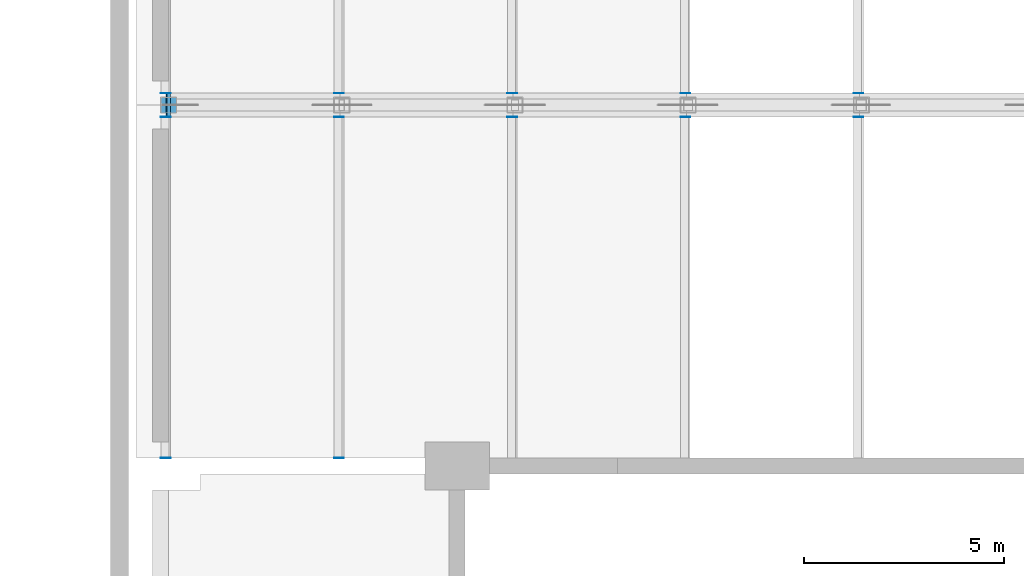
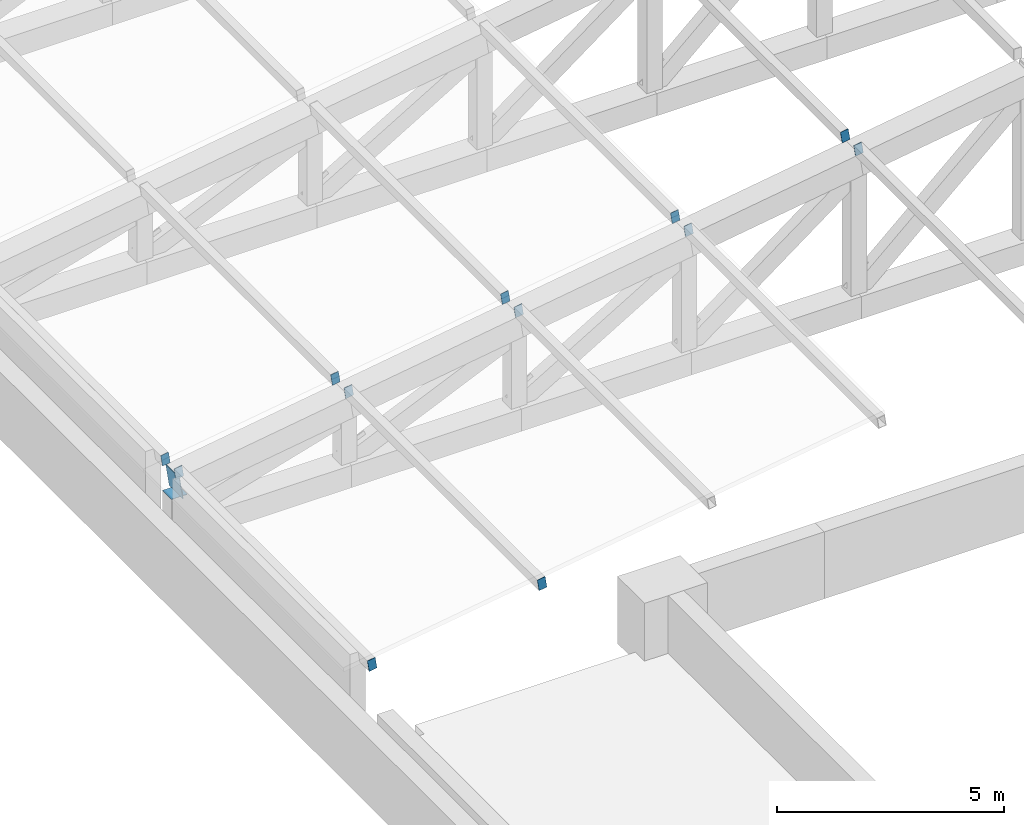
# One storey, part 20 of 32: 14 discrete accessories.
"""IFC4 building model written with IfcOpenShell, lengths in metres."""

import ifcopenshell
import ifcopenshell.guid

model = None  # the IFC model being written
_history = None  # IfcOwnerHistory: only IFC2X3 demands one
_inside = {}  # id of a spatial element -> (the spatial element, [elements in it])
_under = {}  # id of a project, library or spatial element -> (it, [spatial elements below it])
_declared = {}  # id of a project -> (the project, [libraries it declares])
_typed = {}  # id of a type object -> (the type object, [elements of that type])
_made_of = {}  # id of a material, layer set ... -> (it, [elements and type objects made of it])


def new_model(schema):
    """Start an empty IFC model of exactly this schema.

    Asked for "IFC4X3", IfcOpenShell would pick the latest addendum, in which some entities
    have other attributes; the version numbers below select the first issue.
    IFC2X3 requires an IfcOwnerHistory on every rooted entity: one is made here for all.
    """
    global model, _history
    if schema == "IFC4X3":
        model = ifcopenshell.file(schema_version=(4, 3, 0, 0))
    else:
        model = ifcopenshell.file(schema=schema)
    _inside.clear()
    _under.clear()
    _declared.clear()
    _typed.clear()
    _made_of.clear()
    _history = None
    if model.schema == "IFC2X3":
        org = make("IfcOrganization", Name="unknown")
        user = make(
            "IfcPersonAndOrganization",
            ThePerson=make("IfcPerson", FamilyName="unknown"),
            TheOrganization=org,
        )
        app = make(
            "IfcApplication",
            ApplicationDeveloper=org,
            Version="unknown",
            ApplicationFullName="unknown",
            ApplicationIdentifier="unknown",
        )
        _history = make(
            "IfcOwnerHistory",
            OwningUser=user,
            OwningApplication=app,
            ChangeAction="ADDED",
            CreationDate=0,
        )
    return model


def make(cls, **values):
    """One entity of the class cls with the attributes given. An attribute that is None is left unset."""
    return model.create_entity(
        cls, **{name: value for name, value in values.items() if value is not None}
    )


def rooted(cls, **values):
    """An entity with a GlobalId (a new one), such as an element, a storey or a relation."""
    return make(cls, GlobalId=ifcopenshell.guid.new(), OwnerHistory=_history, **values)


def si_unit(unit_type, name, prefix=None):
    """IfcSIUnit, for example si_unit("LENGTHUNIT", "METRE", prefix="MILLI")."""
    return make("IfcSIUnit", UnitType=unit_type, Prefix=prefix, Name=name)


def assignment(units):
    """IfcUnitAssignment: the units of a project."""
    return None if units is None else make("IfcUnitAssignment", Units=units)


def point(xyz):
    """IfcCartesianPoint."""
    return None if xyz is None else make("IfcCartesianPoint", Coordinates=xyz)


def direction(xyz):
    """IfcDirection."""
    return None if xyz is None else make("IfcDirection", DirectionRatios=xyz)


def frame(location, z_axis=None, x_axis=None):
    """IfcAxis2Placement3D, a coordinate frame: its origin and axes. An axis left out is left unset."""
    return make(
        "IfcAxis2Placement3D",
        Location=point(location),
        Axis=direction(z_axis),
        RefDirection=direction(x_axis),
    )


def origin():
    """The frame at (0, 0, 0) with its axes left unset."""
    return frame((0.0, 0.0, 0.0))


def place(relative_to, where):
    """IfcLocalPlacement: puts the frame where relative to a parent placement (None: the world)."""
    return make(
        "IfcLocalPlacement", PlacementRelTo=relative_to, RelativePlacement=where
    )


def context(
    kind, dimensions, precision=None, world=None, true_north=None, identifier=None
):
    """IfcGeometricRepresentationContext, for example the 3D "Model" context."""
    return make(
        "IfcGeometricRepresentationContext",
        ContextIdentifier=identifier,
        ContextType=kind,
        CoordinateSpaceDimension=dimensions,
        Precision=precision,
        WorldCoordinateSystem=world,
        TrueNorth=true_north,
    )


def subcontext(parent, identifier, kind, view, scale=None):
    """IfcGeometricRepresentationSubContext, for example "Body" below "Model"."""
    return make(
        "IfcGeometricRepresentationSubContext",
        ContextIdentifier=identifier,
        ContextType=kind,
        ParentContext=parent,
        TargetScale=scale,
        TargetView=view,
    )


def project(units=None, contexts=None):
    """IfcProject with its units and contexts."""
    return rooted(
        "IfcProject",
        Name="project",
        RepresentationContexts=contexts,
        UnitsInContext=assignment(units),
    )


def spatial(cls, under=None, at=None, **own):
    """A site, building, storey or space (cls), placed at a placement, below another one or the project."""
    s = rooted(cls, ObjectPlacement=at, **own)
    if under is not None:
        _under.setdefault(under.id(), (under, []))[1].append(s)
    return s


def polyline(points):
    """IfcPolyline through the points."""
    return make("IfcPolyline", Points=[point(p) for p in points])


def outline(outer, holes=None, kind="AREA"):
    """IfcArbitraryClosedProfileDef: a profile drawn as a closed curve; with holes, ...WithVoids."""
    if holes is None:
        return make("IfcArbitraryClosedProfileDef", ProfileType=kind, OuterCurve=outer)
    return make(
        "IfcArbitraryProfileDefWithVoids",
        ProfileType=kind,
        OuterCurve=outer,
        InnerCurves=holes,
    )


def extrude(swept, where, along, depth):
    """IfcExtrudedAreaSolid: the profile swept, set in the frame where, extruded along a direction by depth."""
    return make(
        "IfcExtrudedAreaSolid",
        SweptArea=swept,
        Position=where,
        ExtrudedDirection=direction(along),
        Depth=depth,
    )


def shape(context_of_items, identifier, shape_type, items):
    """IfcShapeRepresentation: the items that make up one representation, for example the "Body"."""
    return make(
        "IfcShapeRepresentation",
        ContextOfItems=context_of_items,
        RepresentationIdentifier=identifier,
        RepresentationType=shape_type,
        Items=items,
    )


def material(Name=None, Category=None):
    """IfcMaterial."""
    return make("IfcMaterial", Name=Name, Category=Category)


def layer(
    of_material, thickness, ventilated=None, Name=None, Category=None, Priority=None
):
    """IfcMaterialLayer: one layer of a wall or slab, of a material (None: an air gap)."""
    return make(
        "IfcMaterialLayer",
        Material=of_material,
        LayerThickness=thickness,
        IsVentilated=ventilated,
        Name=Name,
        Category=Category,
        Priority=Priority,
    )


def layer_set(layers, Name=None):
    """IfcMaterialLayerSet."""
    return make("IfcMaterialLayerSet", MaterialLayers=layers, LayerSetName=Name)


def made_of(thing, what):
    """Note that an element or type object is made of a material, layer set ...; save() writes the relation."""
    if what is not None:
        _made_of.setdefault(what.id(), (what, []))[1].append(thing)
    return thing


def type_object(cls, material=None, **own):
    """A type object (cls), such as IfcWallType, which elements share."""
    return made_of(rooted(cls, **own), material)


def element(
    cls,
    number,
    at=None,
    inside=None,
    cuts=None,
    type_object=None,
    material=None,
    context=None,
    identifier="Body",
    shape_type=None,
    held_by="IfcProductDefinitionShape",
    body=None,
    shapes=None,
    **own,
):
    """One element of the class cls, such as IfcWall. Its Tag is "e" and its number.

    at: its placement. inside: the storey or other place that contains it. cuts: it is an
    opening in that element (IfcRelVoidsElement). A single representation is given by context,
    identifier, shape_type and body (its items); several are given by shapes. held_by: the class
    of the entity that holds the representations. save() writes the other relations.
    """
    e = rooted(cls, Tag="e%d" % number, ObjectPlacement=at, **own)
    if body is not None:
        shapes = [shape(context, identifier, shape_type, body)]
    if shapes is not None:
        e.Representation = make(held_by, Representations=shapes)
    if inside is not None:
        _inside.setdefault(inside.id(), (inside, []))[1].append(e)
    if cuts is not None:
        rooted(
            "IfcRelVoidsElement", RelatingBuildingElement=cuts, RelatedOpeningElement=e
        )
    if type_object is not None:
        _typed.setdefault(type_object.id(), (type_object, []))[1].append(e)
    return made_of(e, material)


def aggregate(whole, parts):
    """IfcRelAggregates: a whole, such as a stair, and the parts it consists of."""
    return rooted("IfcRelAggregates", RelatingObject=whole, RelatedObjects=parts)


def save(model, path):
    """Write the relations noted so far, then the file.

    IfcRelAggregates (storeys below a building ...), IfcRelContainedInSpatialStructure (elements
    in a storey), IfcRelDefinesByType, IfcRelAssociatesMaterial and IfcRelDeclares: one each for
    every whole, place, type object, material and project.
    """
    for whole, parts in _under.values():
        aggregate(whole, parts)
    for where, things in _inside.values():
        rooted(
            "IfcRelContainedInSpatialStructure",
            RelatedElements=things,
            RelatingStructure=where,
        )
    for kind, things in _typed.values():
        rooted("IfcRelDefinesByType", RelatedObjects=things, RelatingType=kind)
    for what, things in _made_of.values():
        rooted("IfcRelAssociatesMaterial", RelatedObjects=things, RelatingMaterial=what)
    for by, libraries in _declared.values():
        rooted("IfcRelDeclares", RelatingContext=by, RelatedDefinitions=libraries)
    model.write(path)


model = new_model("IFC4")

# Units and contexts
model_context = context("Model", 3, precision=1e-05, world=origin(), true_north=direction((0.0, 1.0)))
body_context = subcontext(model_context, "Body", "Model", "MODEL_VIEW")
ifc_project = project(units=[si_unit("LENGTHUNIT", "METRE"), si_unit("AREAUNIT", "SQUARE_METRE"), si_unit("VOLUMEUNIT", "CUBIC_METRE"), si_unit("PLANEANGLEUNIT", "RADIAN"), si_unit("MASSUNIT", "GRAM", prefix="KILO")], contexts=[model_context])

# Site, building, storey
site_placement = place(None, origin())
site = spatial("IfcSite", under=ifc_project, at=site_placement, CompositionType="ELEMENT")
building_placement = place(site_placement, origin())
building = spatial("IfcBuilding", under=site, at=building_placement, Name="Aravalli Gate Trade Fair Centre", CompositionType="ELEMENT")
storey_placement = place(building_placement, frame((0.0, 0.0, 23.39990234375)))
storey = spatial("IfcBuildingStorey", under=building, at=storey_placement, Name="ROOF LEVEL 1", CompositionType="ELEMENT", Elevation=23.39990234375)

# Discrete accessories
ifc_material = material(Name="Steel E350", Category="steel")
ifc_layer_1 = layer(ifc_material, 0.010009765625)
ifc_layer_set_1 = layer_set([ifc_layer_1], Name="Steel E350")
discrete_accessory_type_1 = type_object("IfcDiscreteAccessoryType", Name="End plate 200x300 x 10", PredefinedType="USERDEFINED", material=ifc_layer_set_1)
for number, where, z_axis, x_axis, name in (
    (1, (106.853515625, 64.199951171875, 1.811767578125), (0.0, 1.0, 0.0), (-0.988484290215, 0.0, -0.151323520971), "End plate Roof purlin line 1 bay 1 end A"),
    (2, (106.853515625, 72.7099609375, 1.811767578125), (0.0, 1.0, 0.0), (-0.988484290215, 0.0, -0.151323520971), "End plate Roof purlin line 1 bay 1 end B"),
    (3, (106.853515625, 73.300048828125, 1.811767578125), (0.0, 1.0, 0.0), (-0.988484290215, 0.0, -0.151323520971), "End plate Roof purlin line 1 bay 2 end A"),
):
    element("IfcDiscreteAccessory", number, at=place(storey_placement, frame(where, z_axis=z_axis, x_axis=x_axis)), inside=storey, type_object=discrete_accessory_type_1, Name=name, ObjectType="END CAP", PredefinedType="USERDEFINED", context=body_context, shape_type="SweptSolid", body=[
        extrude(outline(polyline([(0.0, 0.0), (0.2000577128110791, 0.0), (0.19981638363866344, 0.30004962499763155), (0.0, 0.30008656921661864), (0.0, 0.0)])), origin(), (0.0, 0.0, -1.0), 0.010009765625),
    ])
for number, where, z_axis, x_axis, name in (
    (4, (111.173583984375, 64.199951171875, 2.4716796875), (0.0, 1.0, 0.0), (-0.988484290215, 0.0, -0.151323520971), "End plate Roof purlin line 2 bay 1 end A"),
    (5, (111.173583984375, 72.7099609375, 2.4716796875), (0.0, 1.0, 0.0), (-0.988484290215, 0.0, -0.151323520971), "End plate Roof purlin line 2 bay 1 end B"),
    (6, (111.173583984375, 73.300048828125, 2.4716796875), (0.0, 1.0, 0.0), (-0.988484290215, 0.0, -0.151323520971), "End plate Roof purlin line 2 bay 2 end A"),
):
    element("IfcDiscreteAccessory", number, at=place(storey_placement, frame(where, z_axis=z_axis, x_axis=x_axis)), inside=storey, type_object=discrete_accessory_type_1, Name=name, ObjectType="END CAP", PredefinedType="USERDEFINED", context=body_context, shape_type="SweptSolid", body=[
        extrude(outline(polyline([(0.0, 0.0), (0.2000577128110791, 0.0), (0.2000577128110791, 0.30008656921661864), (0.0, 0.30008656921661864), (0.0, 0.0)])), origin(), (0.0, 0.0, -1.0), 0.010009765625),
    ])
for number, where, z_axis, x_axis, name in (
    (7, (115.493408203125, 72.7099609375, 3.131591796875), (0.0, 1.0, 0.0), (-0.988638584823, 0.0, -0.150312170498), "End plate Roof purlin line 3 bay 1 end B"),
    (8, (115.493408203125, 73.300048828125, 3.131591796875), (0.0, 1.0, 0.0), (-0.988638584823, 0.0, -0.150312170498), "End plate Roof purlin line 3 bay 2 end A"),
):
    element("IfcDiscreteAccessory", number, at=place(storey_placement, frame(where, z_axis=z_axis, x_axis=x_axis)), inside=storey, type_object=discrete_accessory_type_1, Name=name, ObjectType="END CAP", PredefinedType="USERDEFINED", context=body_context, shape_type="SweptSolid", body=[
        extrude(outline(polyline([(0.0, 0.0), (0.19977954396796813, 3.469446951953614e-18), (0.20008654827008882, 0.3000864121758246), (6.563746012298866e-05, 0.300049714868574), (0.0, 0.0)])), origin(), (0.0, 0.0, -1.0), 0.010009765625),
    ])
for number, where, z_axis, x_axis, name in (
    (9, (119.8134765625, 72.7099609375, 3.791748046875), (0.0, 1.0, 0.0), (-0.988484290215, 0.0, -0.151323520971), "End plate Roof purlin line 4 bay 1 end B"),
    (10, (119.8134765625, 73.300048828125, 3.791748046875), (0.0, 1.0, 0.0), (-0.988484290215, 0.0, -0.151323520971), "End plate Roof purlin line 4 bay 2 end A"),
):
    element("IfcDiscreteAccessory", number, at=place(storey_placement, frame(where, z_axis=z_axis, x_axis=x_axis)), inside=storey, type_object=discrete_accessory_type_1, Name=name, ObjectType="END CAP", PredefinedType="USERDEFINED", context=body_context, shape_type="SweptSolid", body=[
        extrude(outline(polyline([(0.0, 0.0), (0.2000577128110791, 0.0), (0.19981638363866344, 0.30004962499763155), (-0.0002413291724156566, 0.30004962499763155), (0.0, 0.0)])), origin(), (0.0, 0.0, -1.0), 0.010009765625),
    ])
for number, where, z_axis, x_axis, name in (
    (11, (124.133544921875, 72.7099609375, 4.45166015625), (0.0, 1.0, 0.0), (-0.988484290215, 0.0, -0.151323520971), "End plate Roof purlin line 5 bay 1 end B"),
    (12, (124.133544921875, 73.300048828125, 4.45166015625), (0.0, 1.0, 0.0), (-0.988484290215, 0.0, -0.151323520971), "End plate Roof purlin line 5 bay 2 end A"),
):
    element("IfcDiscreteAccessory", number, at=place(storey_placement, frame(where, z_axis=z_axis, x_axis=x_axis)), inside=storey, type_object=discrete_accessory_type_1, Name=name, ObjectType="END CAP", PredefinedType="USERDEFINED", context=body_context, shape_type="SweptSolid", body=[
        extrude(outline(polyline([(0.0, 0.0), (0.2000577128110791, 0.0), (0.2000577128110791, 0.30008656921661864), (0.0, 0.30008656921661864), (0.0, 0.0)])), origin(), (0.0, 0.0, -1.0), 0.010009765625),
    ])
ifc_layer_2 = layer(ifc_material, 0.011962890625)
ifc_layer_set_2 = layer_set([ifc_layer_2], Name="Steel E350")
discrete_accessory_type_2 = type_object("IfcDiscreteAccessoryType", Name="End plate 400x400 x 12", PredefinedType="USERDEFINED", material=ifc_layer_set_2)
discrete_accessory_1_placement = place(storey_placement, frame((106.60009765625, 72.800048828125, 1.20849609375), z_axis=(0.0, 0.0, 1.0), x_axis=(1.0, 0.0, 0.0)))
element("IfcDiscreteAccessory", 13, at=discrete_accessory_1_placement, inside=storey, type_object=discrete_accessory_type_2, Name="End plate Roof truss 73 post 0 end B", ObjectType="END CAP", PredefinedType="USERDEFINED", context=body_context, shape_type="SweptSolid", body=[
    extrude(outline(polyline([(0.0, 0.0), (0.39990234375, 0.0), (0.39990234375, 0.39990234375), (0.0, 0.39990234375), (0.0, 0.0)])), origin(), (0.0, 0.0, -1.0), 0.011962890625),
])
ifc_layer_3 = layer(ifc_material, 0.01611328125)
ifc_layer_set_3 = layer_set([ifc_layer_3], Name="Steel E350")
discrete_accessory_type_3 = type_object("IfcDiscreteAccessoryType", Name="End plate 600x600 x 16", PredefinedType="USERDEFINED", material=ifc_layer_set_3)
discrete_accessory_2_placement = place(storey_placement, frame((106.84521484375, 72.699951171875, 1.20361328125), z_axis=(0.98853578896, 0.0, 0.150986734337), x_axis=(0.0, 1.0, 0.0)))
element("IfcDiscreteAccessory", 14, at=discrete_accessory_2_placement, inside=storey, type_object=discrete_accessory_type_3, Name="End plate Roof truss 73 top chord 1 end A", ObjectType="END CAP", PredefinedType="USERDEFINED", context=body_context, shape_type="SweptSolid", body=[
    extrude(outline(polyline([(0.0, 0.0), (0.60009765625, 0.0), (0.60009765625, 0.5998948998589421), (0.0, 0.5998948998589421), (0.0, 0.0)])), origin(), (0.0, 0.0, -1.0), 0.01611328125),
])

save(model, "model.ifc")
